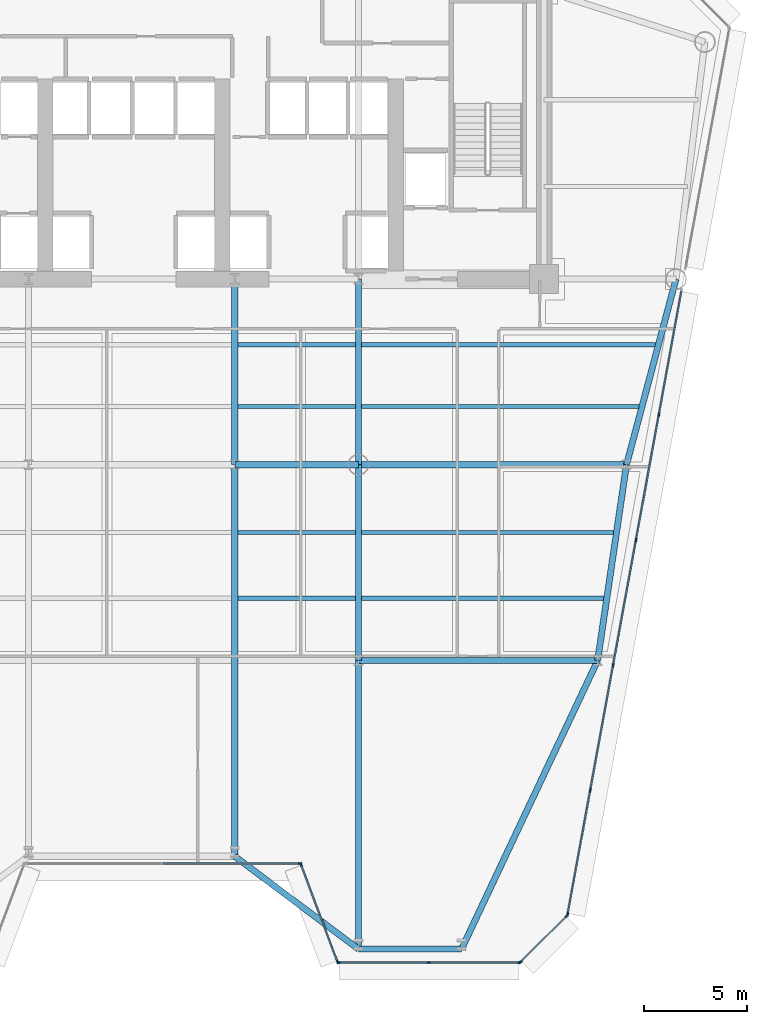
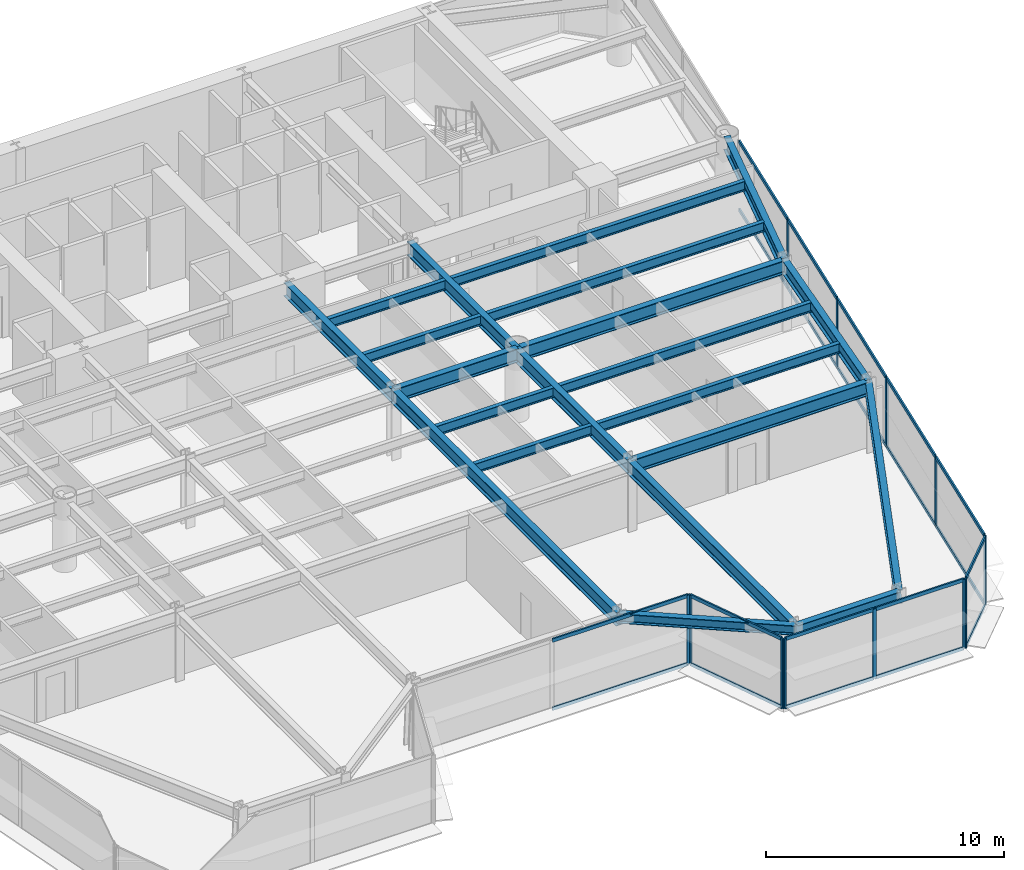
# One storey, part 4 of 14: 33 members, 21 beams, 5 elements without a shape of their own.
"""IFC4 building model written with IfcOpenShell, lengths in metres."""

from ifc_helpers import new_model, si_unit, direction, frame, origin, origin_2d, place, context, subcontext, project, spatial, rectangle, i_section, extrude, source, transform, mapped, material, layer, layer_set, material_profile, profile_set, type_object, element, aggregate, save


model = new_model("IFC4")

# Units and contexts
model_context = context("Model", 3, precision=1e-05, world=origin(), true_north=direction((0.0, 1.0)))
body_context = subcontext(model_context, "Body", "Model", "MODEL_VIEW")
ifc_project = project(units=[si_unit("LENGTHUNIT", "METRE"), si_unit("AREAUNIT", "SQUARE_METRE"), si_unit("VOLUMEUNIT", "CUBIC_METRE"), si_unit("PLANEANGLEUNIT", "RADIAN"), si_unit("MASSUNIT", "GRAM", prefix="KILO")], contexts=[model_context])

# Site, building, storey
site_placement = place(None, origin())
site = spatial("IfcSite", under=ifc_project, at=site_placement, CompositionType="ELEMENT")
building_placement = place(site_placement, origin())
building = spatial("IfcBuilding", under=site, at=building_placement, Name="Vaeldorn Concourse Tower", CompositionType="ELEMENT")
storey_placement = place(building_placement, frame((0.0, 0.0, 92.0)))
storey = spatial("IfcBuildingStorey", under=building, at=storey_placement, Name="L23", CompositionType="ELEMENT", Elevation=92.0)

# Beams
ifc_material_1 = material(Name="Steel S355", Category="steel")
ifc_material_profile_1 = material_profile(ifc_material_1, i_section(OverallWidth=0.199951171875, OverallDepth=0.5, WebThickness=0.01025390625, FlangeThickness=0.01611328125, FilletRadius=0.02099609375, at=origin_2d()), Name="IPE 500")
ifc_profile_set_1 = profile_set([ifc_material_profile_1], Name="Steel S355")
beam_type_1 = type_object("IfcBeamType", Name="BM-JS-IPE500", PredefinedType="JOIST", material=ifc_profile_set_1)
shared_shape_1 = source(origin(), body_context, "Body", "SweptSolid", [
    extrude(i_section(OverallWidth=0.199951171875, OverallDepth=0.5, WebThickness=0.01025390625, FlangeThickness=0.01611328125, FilletRadius=0.02099609375, at=origin_2d()), origin(), (0.0, 0.0, 1.0), 5.7001953125),
])
for number, where, z_axis, x_axis, name in (
    (1, (39.14990234375, 21.02001953125, 3.330078125), (1.0, 0.0, 0.0), (0.0, 1.0, 0.0), "Beam JS-L23-E2-210"),
    (2, (39.14990234375, 24.219970703125, 3.330078125), (1.0, 0.0, 0.0), (0.0, 1.0, 0.0), "Beam JS-L23-E2-242"),
    (3, (39.14990234375, 30.320068359375, 3.330078125), (1.0, 0.0, 0.0), (0.0, 1.0, 0.0), "Beam JS-L23-E2-303"),
    (4, (39.14990234375, 33.320068359375, 3.330078125), (1.0, 0.0, 0.0), (0.0, 1.0, 0.0), "Beam JS-L23-E2-333"),
):
    element("IfcBeam", number, at=place(storey_placement, frame(where, z_axis=z_axis, x_axis=x_axis)), inside=storey, type_object=beam_type_1, Name=name, PredefinedType="JOIST", context=body_context, shape_type="MappedRepresentation", body=[
        mapped(shared_shape_1, transform((0.0, 0.0, 0.0), scale=1.0)),
    ])
shared_shape_2 = source(origin(), body_context, "Body", "SweptSolid", [
    extrude(i_section(OverallWidth=0.199951171875, OverallDepth=0.5, WebThickness=0.01025390625, FlangeThickness=0.01611328125, FilletRadius=0.02099609375, at=origin_2d()), origin(), (0.0, 0.0, 1.0), 11.7451171875),
])
beam_1_placement = place(storey_placement, frame((45.14990234375, 21.02001953125, 3.330078125), z_axis=(1.0, 0.0, 0.0), x_axis=(0.0, 1.0, 0.0)))
element("IfcBeam", 5, at=beam_1_placement, inside=storey, type_object=beam_type_1, Name="Beam JS-L23-E1-210", PredefinedType="JOIST", context=body_context, shape_type="MappedRepresentation", body=[
    mapped(shared_shape_2, transform((0.0, 0.0, 0.0), scale=1.0)),
])
shared_shape_3 = source(origin(), body_context, "Body", "SweptSolid", [
    extrude(i_section(OverallWidth=0.199951171875, OverallDepth=0.5, WebThickness=0.01025390625, FlangeThickness=0.01611328125, FilletRadius=0.02099609375, at=origin_2d()), origin(), (0.0, 0.0, 1.0), 12.216796875),
])
beam_2_placement = place(storey_placement, frame((45.14990234375, 24.219970703125, 3.330078125), z_axis=(1.0, 0.0, 0.0), x_axis=(0.0, 1.0, 0.0)))
element("IfcBeam", 6, at=beam_2_placement, inside=storey, type_object=beam_type_1, Name="Beam JS-L23-E1-242", PredefinedType="JOIST", context=body_context, shape_type="MappedRepresentation", body=[
    mapped(shared_shape_3, transform((0.0, 0.0, 0.0), scale=1.0)),
])
shared_shape_4 = source(origin(), body_context, "Body", "SweptSolid", [
    extrude(i_section(OverallWidth=0.199951171875, OverallDepth=0.5, WebThickness=0.01025390625, FlangeThickness=0.01611328125, FilletRadius=0.02099609375, at=origin_2d()), origin(), (0.0, 0.0, 1.0), 13.4521484375),
])
beam_3_placement = place(storey_placement, frame((45.14990234375, 30.320068359375, 3.330078125), z_axis=(1.0, 0.0, 0.0), x_axis=(0.0, 1.0, 0.0)))
element("IfcBeam", 7, at=beam_3_placement, inside=storey, type_object=beam_type_1, Name="Beam JS-L23-E1-303", PredefinedType="JOIST", context=body_context, shape_type="MappedRepresentation", body=[
    mapped(shared_shape_4, transform((0.0, 0.0, 0.0), scale=1.0)),
])
shared_shape_5 = source(origin(), body_context, "Body", "SweptSolid", [
    extrude(i_section(OverallWidth=0.199951171875, OverallDepth=0.5, WebThickness=0.01025390625, FlangeThickness=0.01611328125, FilletRadius=0.02099609375, at=origin_2d()), origin(), (0.0, 0.0, 1.0), 14.252197265625),
])
beam_4_placement = place(storey_placement, frame((45.14990234375, 33.320068359375, 3.330078125), z_axis=(1.0, 0.0, 0.0), x_axis=(0.0, 1.0, 0.0)))
element("IfcBeam", 8, at=beam_4_placement, inside=storey, type_object=beam_type_1, Name="Beam JS-L23-E1-333", PredefinedType="JOIST", context=body_context, shape_type="MappedRepresentation", body=[
    mapped(shared_shape_5, transform((0.0, 0.0, 0.0), scale=1.0)),
])
ifc_material_profile_2 = material_profile(ifc_material_1, i_section(OverallWidth=0.300048828125, OverallDepth=0.699951171875, WebThickness=0.01708984375, FlangeThickness=0.031982421875, FilletRadius=0.027099609375, at=origin_2d()), Name="HEB 700")
ifc_profile_set_2 = profile_set([ifc_material_profile_2], Name="Steel S355")
beam_type_2 = type_object("IfcBeamType", Name="BM-PG-HEB700", PredefinedType="BEAM", material=ifc_profile_set_2)
shared_shape_6 = source(origin(), body_context, "Body", "SweptSolid", [
    extrude(i_section(OverallWidth=0.300048828125, OverallDepth=0.699951171875, WebThickness=0.01708984375, FlangeThickness=0.031982421875, FilletRadius=0.027099609375, at=origin_2d()), origin(), (0.0, 0.0, 1.0), 6.0),
])
beam_5_placement = place(storey_placement, frame((39.0, 27.5, 3.22998046875), z_axis=(1.0, 0.0, 0.0), x_axis=(0.0, 1.0, 0.0)))
element("IfcBeam", 9, at=beam_5_placement, inside=storey, type_object=beam_type_2, Name="Beam BM-L23-C-TW3-C-TW4", PredefinedType="BEAM", context=body_context, shape_type="MappedRepresentation", body=[
    mapped(shared_shape_6, transform((0.0, 0.0, 0.0), scale=1.0)),
])
shared_shape_7 = source(origin(), body_context, "Body", "SweptSolid", [
    extrude(i_section(OverallWidth=0.300048828125, OverallDepth=0.699951171875, WebThickness=0.01708984375, FlangeThickness=0.031982421875, FilletRadius=0.027099609375, at=origin_2d()), origin(), (0.0, 0.0, 1.0), 9.0),
])
for number, where, z_axis, x_axis, name in (
    (10, (39.0, 27.5, 3.22998046875), (0.0, 1.0, 0.0), (-1.0, 0.0, 0.0), "Beam BM-L23-C-TW3-C-FC4"),
    (11, (45.0, 27.5, 3.22998046875), (0.0, 1.0, 0.0), (-1.0, 0.0, 0.0), "Beam BM-L23-C-TW4-C-FC5"),
):
    element("IfcBeam", number, at=place(storey_placement, frame(where, z_axis=z_axis, x_axis=x_axis)), inside=storey, type_object=beam_type_2, Name=name, PredefinedType="BEAM", context=body_context, shape_type="MappedRepresentation", body=[
        mapped(shared_shape_7, transform((0.0, 0.0, 0.0), scale=1.0)),
    ])
shared_shape_8 = source(origin(), body_context, "Body", "SweptSolid", [
    extrude(i_section(OverallWidth=0.300048828125, OverallDepth=0.699951171875, WebThickness=0.01708984375, FlangeThickness=0.031982421875, FilletRadius=0.027099609375, at=origin_2d()), origin(), (0.0, 0.0, 1.0), 9.314453125),
])
beam_6_placement = place(storey_placement, frame((60.39990234375, 36.5, 3.22998046875), z_axis=(-0.257652862255, -0.966237549763, 0.0), x_axis=(0.966237549763, -0.257652862255, 0.0)))
element("IfcBeam", 12, at=beam_6_placement, inside=storey, type_object=beam_type_2, Name="Beam BM-L23-C-NE2-C-FLE1", PredefinedType="BEAM", context=body_context, shape_type="MappedRepresentation", body=[
    mapped(shared_shape_8, transform((0.0, 0.0, 0.0), scale=1.0)),
])
shared_shape_9 = source(origin(), body_context, "Body", "SweptSolid", [
    extrude(i_section(OverallWidth=0.300048828125, OverallDepth=0.699951171875, WebThickness=0.01708984375, FlangeThickness=0.031982421875, FilletRadius=0.027099609375, at=origin_2d()), origin(), (0.0, 0.0, 1.0), 13.0),
])
beam_7_placement = place(storey_placement, frame((45.0, 27.5, 3.22998046875), z_axis=(1.0, 0.0, 0.0), x_axis=(0.0, 1.0, 0.0)))
element("IfcBeam", 13, at=beam_7_placement, inside=storey, type_object=beam_type_2, Name="Beam BM-L23-C-TW4-C-FLE1", PredefinedType="BEAM", context=body_context, shape_type="MappedRepresentation", body=[
    mapped(shared_shape_9, transform((0.0, 0.0, 0.0), scale=1.0)),
])
ifc_material_profile_3 = material_profile(ifc_material_1, i_section(OverallWidth=0.300048828125, OverallDepth=0.5, WebThickness=0.014404296875, FlangeThickness=0.028076171875, FilletRadius=0.027099609375, at=origin_2d()), Name="HEB 500")
ifc_profile_set_3 = profile_set([ifc_material_profile_3], Name="Steel S355")
beam_type_3 = type_object("IfcBeamType", Name="BM-SP-HEB500", PredefinedType="SPANDREL", material=ifc_profile_set_3)
shared_shape_10 = source(origin(), body_context, "Body", "SweptSolid", [
    extrude(i_section(OverallWidth=0.300048828125, OverallDepth=0.5, WebThickness=0.014404296875, FlangeThickness=0.028076171875, FilletRadius=0.027099609375, at=origin_2d()), origin(), (0.0, 0.0, 1.0), 5.0),
])
beam_8_placement = place(storey_placement, frame((45.0, 4.008056640625, 3.330078125), z_axis=(1.0, 0.0, 0.0), x_axis=(0.0, 1.0, 0.0)))
element("IfcBeam", 14, at=beam_8_placement, inside=storey, type_object=beam_type_3, Name="Beam BM-L23-C-SF5-C-SF6", PredefinedType="SPANDREL", context=body_context, shape_type="MappedRepresentation", body=[
    mapped(shared_shape_10, transform((0.0, 0.0, 0.0), scale=1.0)),
])
shared_shape_11 = source(origin(), body_context, "Body", "SweptSolid", [
    extrude(i_section(OverallWidth=0.300048828125, OverallDepth=0.5, WebThickness=0.014404296875, FlangeThickness=0.028076171875, FilletRadius=0.027099609375, at=origin_2d()), origin(), (0.0, 0.0, 1.0), 7.5),
])
beam_9_placement = place(storey_placement, frame((39.0, 8.508056640625, 3.330078125), z_axis=(0.8, -0.6, 0.0), x_axis=(0.6, 0.8, 0.0)))
element("IfcBeam", 15, at=beam_9_placement, inside=storey, type_object=beam_type_3, Name="Beam BM-L23-C-SF4-C-SF5", PredefinedType="SPANDREL", context=body_context, shape_type="MappedRepresentation", body=[
    mapped(shared_shape_11, transform((0.0, 0.0, 0.0), scale=1.0)),
])
shared_shape_12 = source(origin(), body_context, "Body", "SweptSolid", [
    extrude(i_section(OverallWidth=0.300048828125, OverallDepth=0.699951171875, WebThickness=0.01708984375, FlangeThickness=0.031982421875, FilletRadius=0.027099609375, at=origin_2d()), origin(), (0.0, 0.0, 1.0), 9.6025390625),
])
beam_10_placement = place(storey_placement, frame((58.0, 27.5, 3.22998046875), z_axis=(-0.145783835977, -0.989316467652, 0.0), x_axis=(0.989316467652, -0.145783835977, 0.0)))
element("IfcBeam", 16, at=beam_10_placement, inside=storey, type_object=beam_type_2, Name="Beam BM-L23-C-FLE1-C-FLE2", PredefinedType="BEAM", context=body_context, shape_type="MappedRepresentation", body=[
    mapped(shared_shape_12, transform((0.0, 0.0, 0.0), scale=1.0)),
])
shared_shape_13 = source(origin(), body_context, "Body", "SweptSolid", [
    extrude(i_section(OverallWidth=0.300048828125, OverallDepth=0.699951171875, WebThickness=0.01708984375, FlangeThickness=0.031982421875, FilletRadius=0.027099609375, at=origin_2d()), origin(), (0.0, 0.0, 1.0), 11.60009765625),
])
beam_11_placement = place(storey_placement, frame((45.0, 18.0, 3.22998046875), z_axis=(1.0, 0.0, 0.0), x_axis=(0.0, 1.0, 0.0)))
element("IfcBeam", 17, at=beam_11_placement, inside=storey, type_object=beam_type_2, Name="Beam BM-L23-C-TW6-C-FLE2", PredefinedType="BEAM", context=body_context, shape_type="MappedRepresentation", body=[
    mapped(shared_shape_13, transform((0.0, 0.0, 0.0), scale=1.0)),
])
shared_shape_14 = source(origin(), body_context, "Body", "SweptSolid", [
    extrude(i_section(OverallWidth=0.300048828125, OverallDepth=0.699951171875, WebThickness=0.01708984375, FlangeThickness=0.031982421875, FilletRadius=0.027099609375, at=origin_2d()), origin(), (0.0, 0.0, 1.0), 9.5),
])
beam_12_placement = place(storey_placement, frame((45.0, 18.0, 3.22998046875), z_axis=(0.0, 1.0, 0.0), x_axis=(-1.0, 0.0, 0.0)))
element("IfcBeam", 18, at=beam_12_placement, inside=storey, type_object=beam_type_2, Name="Beam BM-L23-C-TW6-C-TW4", PredefinedType="BEAM", context=body_context, shape_type="MappedRepresentation", body=[
    mapped(shared_shape_14, transform((0.0, 0.0, 0.0), scale=1.0)),
])
shared_shape_15 = source(origin(), body_context, "Body", "SweptSolid", [
    extrude(i_section(OverallWidth=0.300048828125, OverallDepth=0.699951171875, WebThickness=0.01708984375, FlangeThickness=0.031982421875, FilletRadius=0.027099609375, at=origin_2d()), origin(), (0.0, 0.0, 1.0), 15.470458984375),
])
beam_13_placement = place(storey_placement, frame((50.0, 4.008056640625, 3.22998046875), z_axis=(0.42662525191, 0.904428490502, 0.0), x_axis=(-0.904428490502, 0.42662525191, 0.0)))
element("IfcBeam", 19, at=beam_13_placement, inside=storey, type_object=beam_type_2, Name="Beam BM-L23-C-SF6-C-FLE2", PredefinedType="BEAM", context=body_context, shape_type="MappedRepresentation", body=[
    mapped(shared_shape_15, transform((0.0, 0.0, 0.0), scale=1.0)),
])
shared_shape_16 = source(origin(), body_context, "Body", "SweptSolid", [
    extrude(i_section(OverallWidth=0.300048828125, OverallDepth=0.699951171875, WebThickness=0.01708984375, FlangeThickness=0.031982421875, FilletRadius=0.027099609375, at=origin_2d()), origin(), (0.0, 0.0, 1.0), 13.991943359375),
])
beam_14_placement = place(storey_placement, frame((45.0, 4.008056640625, 3.22998046875), z_axis=(0.0, 1.0, 0.0), x_axis=(-1.0, 0.0, 0.0)))
element("IfcBeam", 20, at=beam_14_placement, inside=storey, type_object=beam_type_2, Name="Beam BM-L23-C-SF5-C-TW6", PredefinedType="BEAM", context=body_context, shape_type="MappedRepresentation", body=[
    mapped(shared_shape_16, transform((0.0, 0.0, 0.0), scale=1.0)),
])
shared_shape_17 = source(origin(), body_context, "Body", "SweptSolid", [
    extrude(i_section(OverallWidth=0.300048828125, OverallDepth=0.699951171875, WebThickness=0.01708984375, FlangeThickness=0.031982421875, FilletRadius=0.027099609375, at=origin_2d()), origin(), (0.0, 0.0, 1.0), 18.991943359375),
])
beam_15_placement = place(storey_placement, frame((39.0, 8.508056640625, 3.22998046875), z_axis=(0.0, 1.0, 0.0), x_axis=(-1.0, 0.0, 0.0)))
element("IfcBeam", 21, at=beam_15_placement, inside=storey, type_object=beam_type_2, Name="Beam BM-L23-C-SF4-C-TW3", PredefinedType="BEAM", context=body_context, shape_type="MappedRepresentation", body=[
    mapped(shared_shape_17, transform((0.0, 0.0, 0.0), scale=1.0)),
])

# Curtain wall, members
ifc_material_2 = material(Name="Anodised Bronze Aluminium", Category="aluminium")
ifc_layer = layer(ifc_material_2, 0.199951171875)
ifc_layer_set = layer_set([ifc_layer], Name="Anodised Bronze Aluminium")
curtain_wall_type = type_object("IfcCurtainWallType", Name="CW-SYS-02", PredefinedType="NOTDEFINED", material=ifc_layer_set)
curtain_wall_1_placement = place(storey_placement, origin())
curtain_wall_1 = element("IfcCurtainWall", 22, at=curtain_wall_1_placement, inside=storey, type_object=curtain_wall_type, Name="Unitised Curtain Wall CW-L23-E03-1", PredefinedType="NOTDEFINED")
ifc_material_profile_4 = material_profile(ifc_material_2, rectangle(XDim=0.074951171875, YDim=0.179931640625, at=origin_2d()), Name="CWT 75x180")
ifc_profile_set_4 = profile_set([ifc_material_profile_4], Name="Anodised Bronze Aluminium")
member_type_1 = type_object("IfcMemberType", Name="CWT-BRONZE-180", PredefinedType="USERDEFINED", material=ifc_profile_set_4)
shared_shape_18 = source(origin(), body_context, "Body", "SweptSolid", [
    extrude(rectangle(XDim=0.074951171875, YDim=0.179931640625, at=origin_2d()), origin(), (0.0, 0.0, 1.0), 6.58740234375),
])
member_1_placement = place(storey_placement, frame((35.53759765625, 8.147216796875, 0.03759765625), z_axis=(1.0, 0.0, 0.0), x_axis=(0.0, 1.0, 0.0)))
member_1 = element("IfcMember", 23, at=member_1_placement, type_object=member_type_1, Name="CW-02 transom 2.1", ObjectType="TRANSOM", PredefinedType="USERDEFINED", context=body_context, shape_type="MappedRepresentation", body=[
    mapped(shared_shape_18, transform((0.0, 0.0, 0.0), scale=1.0)),
])
member_2_placement = place(storey_placement, frame((35.53759765625, 8.147216796875, 3.54248046875), z_axis=(1.0, 0.0, 0.0), x_axis=(0.0, 1.0, 0.0)))
member_2 = element("IfcMember", 24, at=member_2_placement, type_object=member_type_1, Name="CW-02 transom 2.2", ObjectType="TRANSOM", PredefinedType="USERDEFINED", context=body_context, shape_type="MappedRepresentation", body=[
    mapped(shared_shape_18, transform((0.0, 0.0, 0.0), scale=1.0)),
])

curtain_wall_2_placement = place(storey_placement, origin())
curtain_wall_2 = element("IfcCurtainWall", 25, at=curtain_wall_2_placement, inside=storey, type_object=curtain_wall_type, Name="Unitised Curtain Wall CW-L23-E04-1", PredefinedType="NOTDEFINED")
shared_shape_19 = source(origin(), body_context, "Body", "SweptSolid", [
    extrude(rectangle(XDim=0.074951171875, YDim=0.179931640625, at=origin_2d()), origin(), (0.0, 0.0, 1.0), 4.9765625),
])
member_3_placement = place(storey_placement, frame((42.226318359375, 8.076904296875, 0.03759765625), z_axis=(0.351112688987, -0.936333209724, 0.0), x_axis=(0.936333209724, 0.351112688987, 0.0)))
member_3 = element("IfcMember", 26, at=member_3_placement, type_object=member_type_1, Name="CW-02 transom 1.1", ObjectType="TRANSOM", PredefinedType="USERDEFINED", context=body_context, shape_type="MappedRepresentation", body=[
    mapped(shared_shape_19, transform((0.0, 0.0, 0.0), scale=1.0)),
])
member_4_placement = place(storey_placement, frame((42.226318359375, 8.076904296875, 3.54248046875), z_axis=(0.351112688987, -0.936333209724, 0.0), x_axis=(0.936333209724, 0.351112688987, 0.0)))
member_4 = element("IfcMember", 27, at=member_4_placement, type_object=member_type_1, Name="CW-02 transom 1.2", ObjectType="TRANSOM", PredefinedType="USERDEFINED", context=body_context, shape_type="MappedRepresentation", body=[
    mapped(shared_shape_19, transform((0.0, 0.0, 0.0), scale=1.0)),
])

curtain_wall_3_placement = place(storey_placement, origin())
curtain_wall_3 = element("IfcCurtainWall", 28, at=curtain_wall_3_placement, inside=storey, type_object=curtain_wall_type, Name="Unitised Curtain Wall CW-L23-E06-1", PredefinedType="NOTDEFINED")
shared_shape_20 = source(origin(), body_context, "Body", "SweptSolid", [
    extrude(rectangle(XDim=0.074951171875, YDim=0.179931640625, at=origin_2d()), origin(), (0.0, 0.0, 1.0), 3.1025390625),
])
member_5_placement = place(storey_placement, frame((52.890380859375, 3.400146484375, 0.03759765625), z_axis=(0.707106781187, 0.707106781187, 0.0), x_axis=(-0.707106781187, 0.707106781187, 0.0)))
member_5 = element("IfcMember", 29, at=member_5_placement, type_object=member_type_1, Name="CW-02 transom 1.1", ObjectType="TRANSOM", PredefinedType="USERDEFINED", context=body_context, shape_type="MappedRepresentation", body=[
    mapped(shared_shape_20, transform((0.0, 0.0, 0.0), scale=1.0)),
])
member_6_placement = place(storey_placement, frame((52.890380859375, 3.400146484375, 3.54248046875), z_axis=(0.707106781187, 0.707106781187, 0.0), x_axis=(-0.707106781187, 0.707106781187, 0.0)))
member_6 = element("IfcMember", 30, at=member_6_placement, type_object=member_type_1, Name="CW-02 transom 1.2", ObjectType="TRANSOM", PredefinedType="USERDEFINED", context=body_context, shape_type="MappedRepresentation", body=[
    mapped(shared_shape_20, transform((0.0, 0.0, 0.0), scale=1.0)),
])

curtain_wall_4_placement = place(storey_placement, origin())
curtain_wall_4 = element("IfcCurtainWall", 31, at=curtain_wall_4_placement, inside=storey, type_object=curtain_wall_type, Name="Unitised Curtain Wall CW-L23-E05-1", PredefinedType="NOTDEFINED")
shared_shape_21 = source(origin(), body_context, "Body", "SweptSolid", [
    extrude(rectangle(XDim=0.074951171875, YDim=0.179931640625, at=origin_2d()), origin(), (0.0, 0.0, 1.0), 4.30615234375),
])
member_7_placement = place(storey_placement, frame((44.074951171875, 3.34716796875, 0.03759765625), z_axis=(1.0, 0.0, 0.0), x_axis=(0.0, 1.0, 0.0)))
member_7 = element("IfcMember", 32, at=member_7_placement, type_object=member_type_1, Name="CW-02 transom 1.1", ObjectType="TRANSOM", PredefinedType="USERDEFINED", context=body_context, shape_type="MappedRepresentation", body=[
    mapped(shared_shape_21, transform((0.0, 0.0, 0.0), scale=1.0)),
])
member_8_placement = place(storey_placement, frame((44.074951171875, 3.34716796875, 3.54248046875), z_axis=(1.0, 0.0, 0.0), x_axis=(0.0, 1.0, 0.0)))
member_8 = element("IfcMember", 33, at=member_8_placement, type_object=member_type_1, Name="CW-02 transom 1.2", ObjectType="TRANSOM", PredefinedType="USERDEFINED", context=body_context, shape_type="MappedRepresentation", body=[
    mapped(shared_shape_21, transform((0.0, 0.0, 0.0), scale=1.0)),
])
member_9_placement = place(storey_placement, frame((48.4560546875, 3.34716796875, 0.03759765625), z_axis=(1.0, 0.0, 0.0), x_axis=(0.0, 1.0, 0.0)))
member_9 = element("IfcMember", 34, at=member_9_placement, type_object=member_type_1, Name="CW-02 transom 2.1", ObjectType="TRANSOM", PredefinedType="USERDEFINED", context=body_context, shape_type="MappedRepresentation", body=[
    mapped(shared_shape_21, transform((0.0, 0.0, 0.0), scale=1.0)),
])
member_10_placement = place(storey_placement, frame((48.4560546875, 3.34716796875, 3.54248046875), z_axis=(1.0, 0.0, 0.0), x_axis=(0.0, 1.0, 0.0)))
member_10 = element("IfcMember", 35, at=member_10_placement, type_object=member_type_1, Name="CW-02 transom 2.2", ObjectType="TRANSOM", PredefinedType="USERDEFINED", context=body_context, shape_type="MappedRepresentation", body=[
    mapped(shared_shape_21, transform((0.0, 0.0, 0.0), scale=1.0)),
])

# Member
ifc_material_profile_5 = material_profile(ifc_material_2, rectangle(XDim=0.074951171875, YDim=0.18994140625, at=origin_2d()), Name="CWM 75x190")
ifc_profile_set_5 = profile_set([ifc_material_profile_5], Name="Anodised Bronze Aluminium")
member_type_2 = type_object("IfcMemberType", Name="CWM-BRONZE-190", PredefinedType="MULLION", material=ifc_profile_set_5)
shared_shape_22 = source(origin(), body_context, "Body", "SweptSolid", [
    extrude(rectangle(XDim=0.074951171875, YDim=0.18994140625, at=origin_2d()), origin(), (0.0, 0.0, 1.0), 3.580078125),
])
member_11_placement = place(storey_placement, frame((42.16259765625, 8.147216796875, 0.0), z_axis=(0.0, 0.0, 1.0), x_axis=(0.0, 1.0, 0.0)))
member_11 = element("IfcMember", 36, at=member_11_placement, type_object=member_type_2, Name="CW-02 mullion 3", PredefinedType="MULLION", context=body_context, shape_type="MappedRepresentation", body=[
    mapped(shared_shape_22, transform((0.0, 0.0, 0.0), scale=1.0)),
])

aggregate(curtain_wall_1, [member_11, member_1, member_2])

member_12_placement = place(storey_placement, frame((42.213134765625, 8.112060546875, 0.0), z_axis=(0.0, 0.0, 1.0), x_axis=(0.936329177566, 0.351123441595, 0.0)))
member_12 = element("IfcMember", 37, at=member_12_placement, type_object=member_type_2, Name="CW-02 mullion 1", PredefinedType="MULLION", context=body_context, shape_type="MappedRepresentation", body=[
    mapped(shared_shape_22, transform((0.0, 0.0, 0.0), scale=1.0)),
])

member_13_placement = place(storey_placement, frame((43.98681640625, 3.38232421875, 0.0), z_axis=(0.0, 0.0, 1.0), x_axis=(0.936329177566, 0.351123441595, 0.0)))
member_13 = element("IfcMember", 38, at=member_13_placement, type_object=member_type_2, Name="CW-02 mullion 2", PredefinedType="MULLION", context=body_context, shape_type="MappedRepresentation", body=[
    mapped(shared_shape_22, transform((0.0, 0.0, 0.0), scale=1.0)),
])

aggregate(curtain_wall_2, [member_12, member_13, member_3, member_4])

member_14_placement = place(storey_placement, frame((44.03759765625, 3.34716796875, 0.0), z_axis=(0.0, 0.0, 1.0), x_axis=(0.0, 1.0, 0.0)))
member_14 = element("IfcMember", 39, at=member_14_placement, type_object=member_type_2, Name="CW-02 mullion 1", PredefinedType="MULLION", context=body_context, shape_type="MappedRepresentation", body=[
    mapped(shared_shape_22, transform((0.0, 0.0, 0.0), scale=1.0)),
])

member_15_placement = place(storey_placement, frame((48.418701171875, 3.34716796875, 0.0), z_axis=(0.0, 0.0, 1.0), x_axis=(0.0, 1.0, 0.0)))
member_15 = element("IfcMember", 40, at=member_15_placement, type_object=member_type_2, Name="CW-02 mullion 2", PredefinedType="MULLION", context=body_context, shape_type="MappedRepresentation", body=[
    mapped(shared_shape_22, transform((0.0, 0.0, 0.0), scale=1.0)),
])

member_16_placement = place(storey_placement, frame((52.7998046875, 3.34716796875, 0.0), z_axis=(0.0, 0.0, 1.0), x_axis=(0.0, 1.0, 0.0)))
member_16 = element("IfcMember", 41, at=member_16_placement, type_object=member_type_2, Name="CW-02 mullion 3", PredefinedType="MULLION", context=body_context, shape_type="MappedRepresentation", body=[
    mapped(shared_shape_22, transform((0.0, 0.0, 0.0), scale=1.0)),
])

aggregate(curtain_wall_4, [member_14, member_15, member_16, member_7, member_8, member_9, member_10])

member_17_placement = place(storey_placement, frame((52.86376953125, 3.37353515625, 0.0), z_axis=(0.0, 0.0, 1.0), x_axis=(-0.707106781187, 0.707106781187, 0.0)))
member_17 = element("IfcMember", 42, at=member_17_placement, type_object=member_type_2, Name="CW-02 mullion 1", PredefinedType="MULLION", context=body_context, shape_type="MappedRepresentation", body=[
    mapped(shared_shape_22, transform((0.0, 0.0, 0.0), scale=1.0)),
])

member_18_placement = place(storey_placement, frame((55.11083984375, 5.62060546875, 0.0), z_axis=(0.0, 0.0, 1.0), x_axis=(-0.707106781187, 0.707106781187, 0.0)))
member_18 = element("IfcMember", 43, at=member_18_placement, type_object=member_type_2, Name="CW-02 mullion 2", PredefinedType="MULLION", context=body_context, shape_type="MappedRepresentation", body=[
    mapped(shared_shape_22, transform((0.0, 0.0, 0.0), scale=1.0)),
])

aggregate(curtain_wall_3, [member_17, member_18, member_5, member_6])

# Curtain wall, members
curtain_wall_5_placement = place(storey_placement, origin())
curtain_wall_5 = element("IfcCurtainWall", 44, at=curtain_wall_5_placement, inside=storey, type_object=curtain_wall_type, Name="Unitised Curtain Wall CW-L23-E07-1", PredefinedType="NOTDEFINED")
member_19_placement = place(storey_placement, frame((55.14404296875, 5.68408203125, 0.0), z_axis=(0.0, 0.0, 1.0), x_axis=(-0.983729411039, 0.179656466224, 0.0)))
member_19 = element("IfcMember", 45, at=member_19_placement, type_object=member_type_2, Name="CW-02 mullion 1", PredefinedType="MULLION", context=body_context, shape_type="MappedRepresentation", body=[
    mapped(shared_shape_22, transform((0.0, 0.0, 0.0), scale=1.0)),
])
member_20_placement = place(storey_placement, frame((56.245361328125, 11.714111328125, 0.0), z_axis=(0.0, 0.0, 1.0), x_axis=(-0.983729411039, 0.179656466224, 0.0)))
member_20 = element("IfcMember", 46, at=member_20_placement, type_object=member_type_2, Name="CW-02 mullion 2", PredefinedType="MULLION", context=body_context, shape_type="MappedRepresentation", body=[
    mapped(shared_shape_22, transform((0.0, 0.0, 0.0), scale=1.0)),
])
member_21_placement = place(storey_placement, frame((57.353271484375, 17.781005859375, 0.0), z_axis=(0.0, 0.0, 1.0), x_axis=(-0.983729411039, 0.179656466224, 0.0)))
member_21 = element("IfcMember", 47, at=member_21_placement, type_object=member_type_2, Name="CW-02 mullion 3", PredefinedType="MULLION", context=body_context, shape_type="MappedRepresentation", body=[
    mapped(shared_shape_22, transform((0.0, 0.0, 0.0), scale=1.0)),
])
member_22_placement = place(storey_placement, frame((58.461181640625, 23.84814453125, 0.0), z_axis=(0.0, 0.0, 1.0), x_axis=(-0.983729411039, 0.179656466224, 0.0)))
member_22 = element("IfcMember", 48, at=member_22_placement, type_object=member_type_2, Name="CW-02 mullion 4", PredefinedType="MULLION", context=body_context, shape_type="MappedRepresentation", body=[
    mapped(shared_shape_22, transform((0.0, 0.0, 0.0), scale=1.0)),
])
member_23_placement = place(storey_placement, frame((59.5693359375, 29.9150390625, 0.0), z_axis=(0.0, 0.0, 1.0), x_axis=(-0.983729411039, 0.179656466224, 0.0)))
member_23 = element("IfcMember", 49, at=member_23_placement, type_object=member_type_2, Name="CW-02 mullion 5", PredefinedType="MULLION", context=body_context, shape_type="MappedRepresentation", body=[
    mapped(shared_shape_22, transform((0.0, 0.0, 0.0), scale=1.0)),
])
shared_shape_23 = source(origin(), body_context, "Body", "SweptSolid", [
    extrude(rectangle(XDim=0.074951171875, YDim=0.179931640625, at=origin_2d()), origin(), (0.0, 0.0, 1.0), 6.0546875),
])
member_24_placement = place(storey_placement, frame((55.15087890625, 5.720947265625, 0.03759765625), z_axis=(0.179634083524, 0.983733498482, 0.0), x_axis=(-0.983733498482, 0.179634083524, 0.0)))
member_24 = element("IfcMember", 50, at=member_24_placement, type_object=member_type_1, Name="CW-02 transom 1.1", ObjectType="TRANSOM", PredefinedType="USERDEFINED", context=body_context, shape_type="MappedRepresentation", body=[
    mapped(shared_shape_23, transform((0.0, 0.0, 0.0), scale=1.0)),
])
member_25_placement = place(storey_placement, frame((55.15087890625, 5.720947265625, 3.54248046875), z_axis=(0.179634083524, 0.983733498482, 0.0), x_axis=(-0.983733498482, 0.179634083524, 0.0)))
member_25 = element("IfcMember", 51, at=member_25_placement, type_object=member_type_1, Name="CW-02 transom 1.2", ObjectType="TRANSOM", PredefinedType="USERDEFINED", context=body_context, shape_type="MappedRepresentation", body=[
    mapped(shared_shape_23, transform((0.0, 0.0, 0.0), scale=1.0)),
])
shared_shape_24 = source(origin(), body_context, "Body", "SweptSolid", [
    extrude(rectangle(XDim=0.074951171875, YDim=0.179931640625, at=origin_2d()), origin(), (0.0, 0.0, 1.0), 6.09228515625),
])
member_26_placement = place(storey_placement, frame((56.251953125, 11.7509765625, 0.03759765625), z_axis=(0.179689412448, 0.983723393569, 0.0), x_axis=(-0.983723393569, 0.179689412448, 0.0)))
member_26 = element("IfcMember", 52, at=member_26_placement, type_object=member_type_1, Name="CW-02 transom 2.1", ObjectType="TRANSOM", PredefinedType="USERDEFINED", context=body_context, shape_type="MappedRepresentation", body=[
    mapped(shared_shape_24, transform((0.0, 0.0, 0.0), scale=1.0)),
])
member_27_placement = place(storey_placement, frame((56.251953125, 11.7509765625, 3.54248046875), z_axis=(0.179689412448, 0.983723393569, 0.0), x_axis=(-0.983723393569, 0.179689412448, 0.0)))
member_27 = element("IfcMember", 53, at=member_27_placement, type_object=member_type_1, Name="CW-02 transom 2.2", ObjectType="TRANSOM", PredefinedType="USERDEFINED", context=body_context, shape_type="MappedRepresentation", body=[
    mapped(shared_shape_24, transform((0.0, 0.0, 0.0), scale=1.0)),
])
member_28_placement = place(storey_placement, frame((57.360107421875, 17.81787109375, 0.03759765625), z_axis=(0.179650632468, 0.983730476428, 0.0), x_axis=(-0.983730476428, 0.179650632468, 0.0)))
member_28 = element("IfcMember", 54, at=member_28_placement, type_object=member_type_1, Name="CW-02 transom 3.1", ObjectType="TRANSOM", PredefinedType="USERDEFINED", context=body_context, shape_type="MappedRepresentation", body=[
    mapped(shared_shape_24, transform((0.0, 0.0, 0.0), scale=1.0)),
])
member_29_placement = place(storey_placement, frame((57.360107421875, 17.81787109375, 3.54248046875), z_axis=(0.179650632468, 0.983730476428, 0.0), x_axis=(-0.983730476428, 0.179650632468, 0.0)))
member_29 = element("IfcMember", 55, at=member_29_placement, type_object=member_type_1, Name="CW-02 transom 3.2", ObjectType="TRANSOM", PredefinedType="USERDEFINED", context=body_context, shape_type="MappedRepresentation", body=[
    mapped(shared_shape_24, transform((0.0, 0.0, 0.0), scale=1.0)),
])
member_30_placement = place(storey_placement, frame((58.468017578125, 23.885009765625, 0.03759765625), z_axis=(0.179650632468, 0.983730476428, 0.0), x_axis=(-0.983730476428, 0.179650632468, 0.0)))
member_30 = element("IfcMember", 56, at=member_30_placement, type_object=member_type_1, Name="CW-02 transom 4.1", ObjectType="TRANSOM", PredefinedType="USERDEFINED", context=body_context, shape_type="MappedRepresentation", body=[
    mapped(shared_shape_24, transform((0.0, 0.0, 0.0), scale=1.0)),
])
member_31_placement = place(storey_placement, frame((58.468017578125, 23.885009765625, 3.54248046875), z_axis=(0.179650632468, 0.983730476428, 0.0), x_axis=(-0.983730476428, 0.179650632468, 0.0)))
member_31 = element("IfcMember", 57, at=member_31_placement, type_object=member_type_1, Name="CW-02 transom 4.2", ObjectType="TRANSOM", PredefinedType="USERDEFINED", context=body_context, shape_type="MappedRepresentation", body=[
    mapped(shared_shape_24, transform((0.0, 0.0, 0.0), scale=1.0)),
])
shared_shape_25 = source(origin(), body_context, "Body", "SweptSolid", [
    extrude(rectangle(XDim=0.074951171875, YDim=0.179931640625, at=origin_2d()), origin(), (0.0, 0.0, 1.0), 6.054931640625),
])
member_32_placement = place(storey_placement, frame((59.575927734375, 29.951904296875, 0.03759765625), z_axis=(0.179673103881, 0.983726372393, 0.0), x_axis=(-0.983726372393, 0.179673103881, 0.0)))
member_32 = element("IfcMember", 58, at=member_32_placement, type_object=member_type_1, Name="CW-02 transom 5.1", ObjectType="TRANSOM", PredefinedType="USERDEFINED", context=body_context, shape_type="MappedRepresentation", body=[
    mapped(shared_shape_25, transform((0.0, 0.0, 0.0), scale=1.0)),
])
member_33_placement = place(storey_placement, frame((59.575927734375, 29.951904296875, 3.54248046875), z_axis=(0.179673103881, 0.983726372393, 0.0), x_axis=(-0.983726372393, 0.179673103881, 0.0)))
member_33 = element("IfcMember", 59, at=member_33_placement, type_object=member_type_1, Name="CW-02 transom 5.2", ObjectType="TRANSOM", PredefinedType="USERDEFINED", context=body_context, shape_type="MappedRepresentation", body=[
    mapped(shared_shape_25, transform((0.0, 0.0, 0.0), scale=1.0)),
])
aggregate(curtain_wall_5, [member_19, member_20, member_21, member_22, member_23, member_24, member_25, member_26, member_27, member_28, member_29, member_30, member_31, member_32, member_33])

save(model, "model.ifc")
